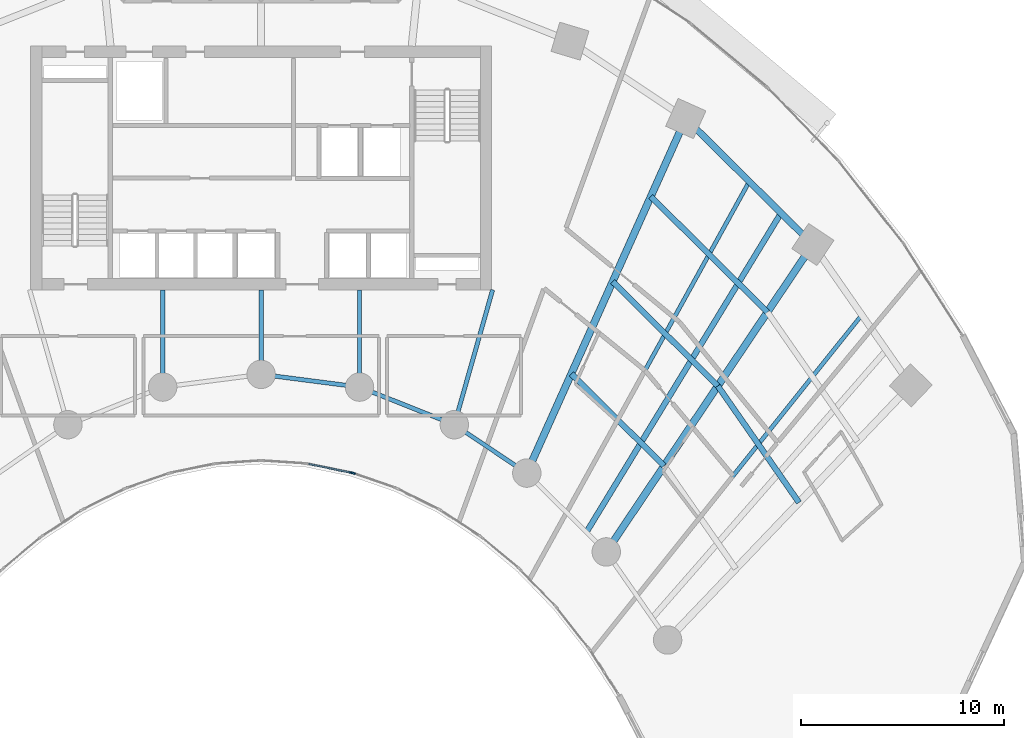
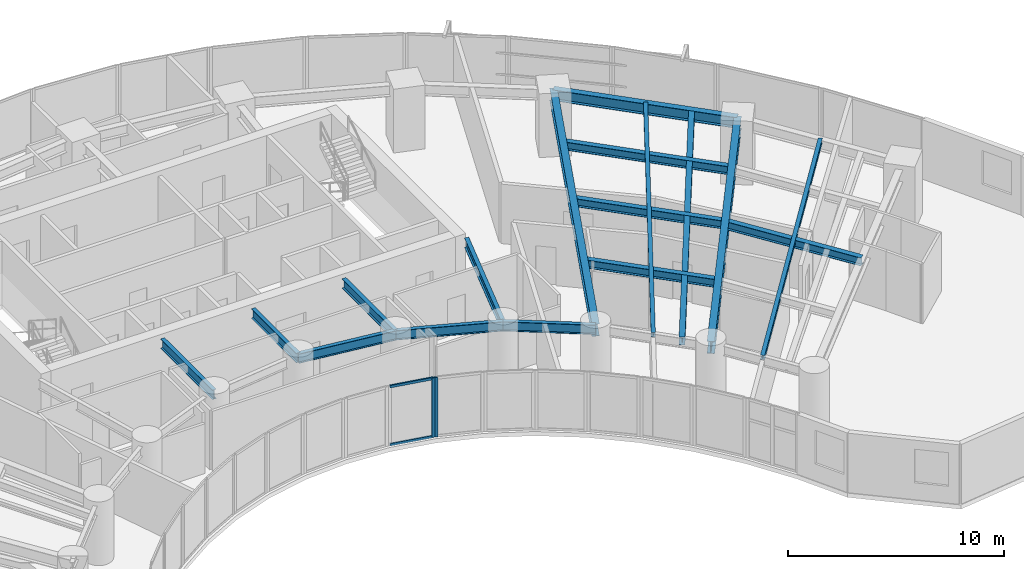
# One storey, part 5 of 17: 17 beams, 4 members, 2 elements without a shape of their own.
"""IFC4 building model written with IfcOpenShell, lengths in metres."""

from ifc_helpers import new_model, si_unit, direction, frame, origin, origin_2d, place, context, subcontext, project, spatial, rectangle, i_section, extrude, source, transform, mapped, material, layer, layer_set, material_profile, profile_set, type_object, type_shapes, element, aggregate, save


model = new_model("IFC4")

# Units and contexts
model_context = context("Model", 3, precision=1e-05, world=origin(), true_north=direction((0.0, 1.0)))
body_context = subcontext(model_context, "Body", "Model", "MODEL_VIEW")
ifc_project = project(units=[si_unit("LENGTHUNIT", "METRE"), si_unit("AREAUNIT", "SQUARE_METRE"), si_unit("VOLUMEUNIT", "CUBIC_METRE"), si_unit("PLANEANGLEUNIT", "RADIAN"), si_unit("MASSUNIT", "GRAM", prefix="KILO")], contexts=[model_context])

# Site, building, storey
site_placement = place(None, origin())
site = spatial("IfcSite", under=ifc_project, at=site_placement, CompositionType="ELEMENT")
building_placement = place(site_placement, origin())
building = spatial("IfcBuilding", under=site, at=building_placement, Name="Breltana Convention Tower", CompositionType="ELEMENT")
storey_placement = place(building_placement, frame((0.0, 0.0, 67.800048828125)))
storey = spatial("IfcBuildingStorey", under=building, at=storey_placement, Name="L15", CompositionType="ELEMENT", Elevation=67.800048828125)

# Beams
ifc_material_1 = material(Name="Steel ASTM A992 Grade 50", Category="steel")
ifc_material_profile_1 = material_profile(ifc_material_1, i_section(OverallWidth=0.323974609375, OverallDepth=0.611083984375, WebThickness=0.0126953125, FlangeThickness=0.01904296875, at=origin_2d()), Name="W24X104")
ifc_profile_set_1 = profile_set([ifc_material_profile_1], Name="Steel ASTM A992 Grade 50")
beam_type_1 = type_object("IfcBeamType", Name="BM-SP-W24X104", PredefinedType="SPANDREL", material=ifc_profile_set_1)
shared_shape_1 = source(origin(), body_context, "Body", "SweptSolid", [
    extrude(i_section(OverallWidth=0.323974609375, OverallDepth=0.611083984375, WebThickness=0.0126953125, FlangeThickness=0.01904296875, at=origin_2d()), origin(), (0.0, 0.0, 1.0), 8.810302734375),
])
beam_1_placement = place(storey_placement, frame((68.910400390625, 68.63330078125, 3.054443359375), z_axis=(0.710120823582, -0.704079836322, 0.0), x_axis=(0.704079836322, 0.710120823582, 0.0)))
element("IfcBeam", 1, at=beam_1_placement, inside=storey, type_object=beam_type_1, Name="L15 Outer Spandrel Beam 09", PredefinedType="SPANDREL", context=body_context, shape_type="MappedRepresentation", body=[
    mapped(shared_shape_1, transform((0.0, 0.0, 0.0), scale=1.0)),
])
ifc_material_profile_2 = material_profile(ifc_material_1, i_section(OverallWidth=0.2099609375, OverallDepth=0.537109375, WebThickness=0.010986328125, FlangeThickness=0.017333984375, at=origin_2d()), Name="W21X68")
ifc_profile_set_2 = profile_set([ifc_material_profile_2], Name="Steel ASTM A992 Grade 50")
beam_type_2 = type_object("IfcBeamType", Name="BM-BM-W21X68", PredefinedType="BEAM", material=ifc_profile_set_2)
shared_shape_2 = source(origin(), body_context, "Body", "SweptSolid", [
    extrude(i_section(OverallWidth=0.2099609375, OverallDepth=0.537109375, WebThickness=0.010986328125, FlangeThickness=0.017333984375, at=origin_2d()), origin(), (0.0, 0.0, 1.0), 6.904541015625),
])
type_shapes(beam_type_2, [shared_shape_2])
beam_2_placement = place(storey_placement, frame((59.39990234375, 60.199951171875, 3.091552734375), z_axis=(-0.273006781054, -0.962012108811, 0.0), x_axis=(0.962012108811, -0.273006781054, 0.0)))
element("IfcBeam", 2, at=beam_2_placement, inside=storey, type_object=beam_type_2, Name="L15 South Core Tie Girder R08", PredefinedType="BEAM", context=body_context, shape_type="MappedRepresentation", body=[
    mapped(shared_shape_2, transform((0.0, 0.0, 0.0), scale=1.0)),
])
shared_shape_3 = source(origin(), body_context, "Body", "SweptSolid", [
    extrude(i_section(OverallWidth=0.2099609375, OverallDepth=0.537109375, WebThickness=0.010986328125, FlangeThickness=0.017333984375, at=origin_2d()), origin(), (0.0, 0.0, 1.0), 4.789306640625),
])
for number, where, z_axis, x_axis, name in (
    (3, (43.153564453125, 60.199951171875, 3.091552734375), (0.0, -1.0, 0.0), (1.0, 0.0, 0.0), "L15 South Core Tie Girder R05"),
    (4, (52.846435546875, 60.199951171875, 3.091552734375), (0.0, -1.0, 0.0), (1.0, 0.0, 0.0), "L15 South Core Tie Girder R07"),
):
    element("IfcBeam", number, at=place(storey_placement, frame(where, z_axis=z_axis, x_axis=x_axis)), inside=storey, type_object=beam_type_2, Name=name, PredefinedType="BEAM", context=body_context, shape_type="MappedRepresentation", body=[
        mapped(shared_shape_3, transform((0.0, 0.0, 0.0), scale=1.0)),
    ])
shared_shape_4 = source(origin(), body_context, "Body", "SweptSolid", [
    extrude(i_section(OverallWidth=0.2099609375, OverallDepth=0.537109375, WebThickness=0.010986328125, FlangeThickness=0.017333984375, at=origin_2d()), origin(), (0.0, 0.0, 1.0), 4.1640625),
])
beam_3_placement = place(storey_placement, frame((48.0, 60.199951171875, 3.091552734375), z_axis=(0.0, -1.0, 0.0), x_axis=(1.0, 0.0, 0.0)))
element("IfcBeam", 5, at=beam_3_placement, inside=storey, type_object=beam_type_2, Name="L15 South Core Tie Girder R06", PredefinedType="BEAM", context=body_context, shape_type="MappedRepresentation", body=[
    mapped(shared_shape_4, transform((0.0, 0.0, 0.0), scale=1.0)),
])
ifc_material_profile_3 = material_profile(ifc_material_1, i_section(OverallWidth=0.35498046875, OverallDepth=0.696044921875, WebThickness=0.015380859375, FlangeThickness=0.02490234375, at=origin_2d()), Name="W27X146")
ifc_profile_set_3 = profile_set([ifc_material_profile_3], Name="Steel ASTM A992 Grade 50")
beam_type_3 = type_object("IfcBeamType", Name="BM-RG-W27X146", PredefinedType="USERDEFINED", material=ifc_profile_set_3)
shared_shape_5 = source(origin(), body_context, "Body", "SweptSolid", [
    extrude(i_section(OverallWidth=0.35498046875, OverallDepth=0.696044921875, WebThickness=0.015380859375, FlangeThickness=0.02490234375, at=origin_2d()), origin(), (0.0, 0.0, 1.0), 19.133544921875),
])
beam_4_placement = place(storey_placement, frame((61.08203125, 51.174560546875, 3.011962890625), z_axis=(0.409144564164, 0.912469575172, 0.0), x_axis=(-0.912469575172, 0.409144564164, 0.0)))
element("IfcBeam", 6, at=beam_4_placement, inside=storey, type_object=beam_type_3, Name="L15 Radial Floor Girder R09", ObjectType="GIRDER", PredefinedType="USERDEFINED", context=body_context, shape_type="MappedRepresentation", body=[
    mapped(shared_shape_5, transform((0.0, 0.0, 0.0), scale=1.0)),
])
shared_shape_6 = source(origin(), body_context, "Body", "SweptSolid", [
    extrude(i_section(OverallWidth=0.35498046875, OverallDepth=0.696044921875, WebThickness=0.015380859375, FlangeThickness=0.02490234375, at=origin_2d()), origin(), (0.0, 0.0, 1.0), 18.236328125),
])
beam_5_placement = place(storey_placement, frame((64.995849609375, 47.293701171875, 3.011962890625), z_axis=(0.557730360975, 0.830022195153, 0.0), x_axis=(-0.830022195153, 0.557730360975, 0.0)))
element("IfcBeam", 7, at=beam_5_placement, inside=storey, type_object=beam_type_3, Name="L15 Radial Floor Girder R10", ObjectType="GIRDER", PredefinedType="USERDEFINED", context=body_context, shape_type="MappedRepresentation", body=[
    mapped(shared_shape_6, transform((0.0, 0.0, 0.0), scale=1.0)),
])
shared_shape_7 = source(origin(), body_context, "Body", "SweptSolid", [
    extrude(i_section(OverallWidth=0.2099609375, OverallDepth=0.537109375, WebThickness=0.010986328125, FlangeThickness=0.017333984375, at=origin_2d()), origin(), (0.0, 0.0, 1.0), 5.022705078125),
])
beam_6_placement = place(storey_placement, frame((52.846435546875, 55.41064453125, 3.091552734375), z_axis=(0.929458966248, -0.368925507469, 0.0), x_axis=(0.368925507469, 0.929458966248, 0.0)))
element("IfcBeam", 8, at=beam_6_placement, inside=storey, type_object=beam_type_2, Name="L15 Inner Ring Beam 07", PredefinedType="BEAM", context=body_context, shape_type="MappedRepresentation", body=[
    mapped(shared_shape_7, transform((0.0, 0.0, 0.0), scale=1.0)),
])
shared_shape_8 = source(origin(), body_context, "Body", "SweptSolid", [
    extrude(i_section(OverallWidth=0.2099609375, OverallDepth=0.537109375, WebThickness=0.010986328125, FlangeThickness=0.017333984375, at=origin_2d()), origin(), (0.0, 0.0, 1.0), 4.88671875),
])
beam_7_placement = place(storey_placement, frame((48.0, 56.035888671875, 3.091552734375), z_axis=(0.991780525565, -0.127950729231, 0.0), x_axis=(0.127950729231, 0.991780525565, 0.0)))
element("IfcBeam", 9, at=beam_7_placement, inside=storey, type_object=beam_type_2, Name="L15 Inner Ring Beam 06", PredefinedType="BEAM", context=body_context, shape_type="MappedRepresentation", body=[
    mapped(shared_shape_8, transform((0.0, 0.0, 0.0), scale=1.0)),
])
shared_shape_9 = source(origin(), body_context, "Body", "SweptSolid", [
    extrude(i_section(OverallWidth=0.2099609375, OverallDepth=0.537109375, WebThickness=0.010986328125, FlangeThickness=0.017333984375, at=origin_2d()), origin(), (0.0, 0.0, 1.0), 4.2900390625),
])
beam_8_placement = place(storey_placement, frame((57.514892578125, 53.5576171875, 3.091552734375), z_axis=(0.831515827753, -0.555501060482, 0.0), x_axis=(0.555501060482, 0.831515827753, 0.0)))
element("IfcBeam", 10, at=beam_8_placement, inside=storey, type_object=beam_type_2, Name="L15 Inner Ring Beam 08", PredefinedType="BEAM", context=body_context, shape_type="MappedRepresentation", body=[
    mapped(shared_shape_9, transform((0.0, 0.0, 0.0), scale=1.0)),
])
ifc_material_profile_4 = material_profile(ifc_material_1, i_section(OverallWidth=0.280029296875, OverallDepth=0.462890625, WebThickness=0.0107421875, FlangeThickness=0.017333984375, at=origin_2d()), Name="W18X76")
ifc_profile_set_4 = profile_set([ifc_material_profile_4], Name="Steel ASTM A992 Grade 50")
beam_type_4 = type_object("IfcBeamType", Name="BM-JSG-06", PredefinedType="JOIST", material=ifc_profile_set_4)
shared_shape_10 = source(origin(), body_context, "Body", "SweptSolid", [
    extrude(i_section(OverallWidth=0.280029296875, OverallDepth=0.462890625, WebThickness=0.0107421875, FlangeThickness=0.017333984375, at=origin_2d()), origin(), (0.0, 0.0, 1.0), 6.435302734375),
])
beam_9_placement = place(storey_placement, frame((63.27392578125, 56.06298828125, 3.12841796875), z_axis=(0.710116389828, -0.704084308089, 0.0), x_axis=(0.704084308089, 0.710116389828, 0.0)))
element("IfcBeam", 11, at=beam_9_placement, inside=storey, type_object=beam_type_4, Name="L15 Composite Floor Joist 09.1", PredefinedType="JOIST", context=body_context, shape_type="MappedRepresentation", body=[
    mapped(shared_shape_10, transform((0.0, 0.0, 0.0), scale=1.0)),
])
shared_shape_11 = source(origin(), body_context, "Body", "SweptSolid", [
    extrude(i_section(OverallWidth=0.280029296875, OverallDepth=0.462890625, WebThickness=0.0107421875, FlangeThickness=0.017333984375, at=origin_2d()), origin(), (0.0, 0.0, 1.0), 7.29296875),
])
beam_10_placement = place(storey_placement, frame((65.309326171875, 60.602294921875, 3.12841796875), z_axis=(0.710096551013, -0.704104316305, 0.0), x_axis=(0.704104316305, 0.710096551013, 0.0)))
element("IfcBeam", 12, at=beam_10_placement, inside=storey, type_object=beam_type_4, Name="L15 Composite Floor Joist 09.2", PredefinedType="JOIST", context=body_context, shape_type="MappedRepresentation", body=[
    mapped(shared_shape_11, transform((0.0, 0.0, 0.0), scale=1.0)),
])
shared_shape_12 = source(origin(), body_context, "Body", "SweptSolid", [
    extrude(i_section(OverallWidth=0.280029296875, OverallDepth=0.462890625, WebThickness=0.0107421875, FlangeThickness=0.017333984375, at=origin_2d()), origin(), (0.0, 0.0, 1.0), 8.084716796875),
])
beam_11_placement = place(storey_placement, frame((67.188232421875, 64.79248046875, 3.12841796875), z_axis=(0.710105094548, -0.704095699956, 0.0), x_axis=(0.704095699956, 0.710105094548, 0.0)))
element("IfcBeam", 13, at=beam_11_placement, inside=storey, type_object=beam_type_4, Name="L15 Composite Floor Joist 09.3", PredefinedType="JOIST", context=body_context, shape_type="MappedRepresentation", body=[
    mapped(shared_shape_12, transform((0.0, 0.0, 0.0), scale=1.0)),
])
ifc_material_profile_5 = material_profile(ifc_material_1, i_section(OverallWidth=0.201904296875, OverallDepth=0.2470703125, WebThickness=0.00732421875, FlangeThickness=0.010986328125, at=origin_2d()), Name="W10X33")
ifc_profile_set_5 = profile_set([ifc_material_profile_5], Name="Steel ASTM A992 Grade 50")
beam_type_5 = type_object("IfcBeamType", Name="BM-JSG-11", PredefinedType="JOIST", material=ifc_profile_set_5)
shared_shape_13 = source(origin(), body_context, "Body", "SweptSolid", [
    extrude(i_section(OverallWidth=0.201904296875, OverallDepth=0.2470703125, WebThickness=0.00732421875, FlangeThickness=0.010986328125, at=origin_2d()), origin(), (0.0, 0.0, 1.0), 18.617431640625),
])
beam_12_placement = place(storey_placement, frame((63.038818359375, 49.234130859375, 3.236572265625), z_axis=(0.483405602507, 0.875396495004, 0.0), x_axis=(-0.875396495004, 0.483405602507, 0.0)))
element("IfcBeam", 14, at=beam_12_placement, inside=storey, type_object=beam_type_5, Name="L15 Mid-Bay Radial Trimmer 09", PredefinedType="JOIST", context=body_context, shape_type="MappedRepresentation", body=[
    mapped(shared_shape_13, transform((0.0, 0.0, 0.0), scale=1.0)),
])
shared_shape_14 = source(origin(), body_context, "Body", "SweptSolid", [
    extrude(i_section(OverallWidth=0.280029296875, OverallDepth=0.462890625, WebThickness=0.0107421875, FlangeThickness=0.017333984375, at=origin_2d()), origin(), (0.0, 0.0, 1.0), 18.409423828125),
])
beam_13_placement = place(storey_placement, frame((64.017333984375, 48.263916015625, 3.12841796875), z_axis=(0.520682167606, 0.853750596098, 0.0), x_axis=(-0.853750596098, 0.520682167606, 0.0)))
element("IfcBeam", 15, at=beam_13_placement, inside=storey, type_object=beam_type_4, Name="L15 Quarter-Bay Radial Trimmer 09", PredefinedType="JOIST", context=body_context, shape_type="MappedRepresentation", body=[
    mapped(shared_shape_14, transform((0.0, 0.0, 0.0), scale=1.0)),
])
shared_shape_15 = source(origin(), body_context, "Body", "SweptSolid", [
    extrude(i_section(OverallWidth=0.280029296875, OverallDepth=0.462890625, WebThickness=0.0107421875, FlangeThickness=0.017333984375, at=origin_2d()), origin(), (0.0, 0.0, 1.0), 6.99462890625),
])
beam_14_placement = place(storey_placement, frame((70.488037109375, 55.46728515625, 3.12841796875), z_axis=(0.571206630732, -0.820806301759, 0.0), x_axis=(0.820806301759, 0.571206630732, 0.0)))
element("IfcBeam", 16, at=beam_14_placement, inside=storey, type_object=beam_type_4, Name="L15 Composite Floor Joist 10.2", PredefinedType="JOIST", context=body_context, shape_type="MappedRepresentation", body=[
    mapped(shared_shape_15, transform((0.0, 0.0, 0.0), scale=1.0)),
])
shared_shape_16 = source(origin(), body_context, "Body", "SweptSolid", [
    extrude(i_section(OverallWidth=0.201904296875, OverallDepth=0.2470703125, WebThickness=0.00732421875, FlangeThickness=0.010986328125, at=origin_2d()), origin(), (0.0, 0.0, 1.0), 17.7236328125),
])
beam_15_placement = place(storey_placement, frame((66.505615234375, 45.124267578125, 3.236572265625), z_axis=(0.624829427563, 0.78076128647, 0.0), x_axis=(-0.78076128647, 0.624829427563, 0.0)))
element("IfcBeam", 17, at=beam_15_placement, inside=storey, type_object=beam_type_5, Name="L15 Mid-Bay Radial Trimmer 10", PredefinedType="JOIST", context=body_context, shape_type="MappedRepresentation", body=[
    mapped(shared_shape_16, transform((0.0, 0.0, 0.0), scale=1.0)),
])

# Curtain wall, members
ifc_material_2 = material(Name="Aluminium Anodised Bronze Frame", Category="aluminium")
ifc_layer = layer(ifc_material_2, 0.18994140625, Name="Aluminium Anodised Bronze Frame")
ifc_layer_set = layer_set([ifc_layer], Name="Aluminium Anodised Bronze Frame")
curtain_wall_type = type_object("IfcCurtainWallType", Name="CW-SYS-1", PredefinedType="NOTDEFINED", material=ifc_layer_set)
curtain_wall_1_placement = place(storey_placement, origin())
curtain_wall_1 = element("IfcCurtainWall", 18, at=curtain_wall_1_placement, inside=storey, type_object=curtain_wall_type, Name="L15 inner south-court glazing 8", PredefinedType="NOTDEFINED")
ifc_material_3 = material(Name="Aluminium Anodised Bronze", Category="aluminium")
ifc_material_profile_6 = material_profile(ifc_material_3, rectangle(XDim=0.080078125, YDim=0.139892578125, at=origin_2d()), Name="CWT-80X140")
ifc_profile_set_6 = profile_set([ifc_material_profile_6], Name="Aluminium Anodised Bronze")
member_type_1 = type_object("IfcMemberType", Name="CWT-140", PredefinedType="USERDEFINED", material=ifc_profile_set_6)
shared_shape_17 = source(origin(), body_context, "Body", "SweptSolid", [
    extrude(rectangle(XDim=0.080078125, YDim=0.139892578125, at=origin_2d()), origin(), (0.0, 0.0, 1.0), 2.096435546875),
])
member_1_placement = place(storey_placement, frame((52.401611328125, 51.201416015625, 0.0400390625), z_axis=(-0.979615042233, 0.200883969074, 0.0), x_axis=(-0.200883969074, -0.979615042233, 0.0)))
member_1 = element("IfcMember", 19, at=member_1_placement, type_object=member_type_1, Name="CW-01 transom 1.1", ObjectType="TRANSOM", PredefinedType="USERDEFINED", context=body_context, shape_type="MappedRepresentation", body=[
    mapped(shared_shape_17, transform((0.0, 0.0, 0.0), scale=1.0)),
])
member_2_placement = place(storey_placement, frame((52.401611328125, 51.201416015625, 3.320068359375), z_axis=(-0.979615042233, 0.200883969074, 0.0), x_axis=(-0.200883969074, -0.979615042233, 0.0)))
member_2 = element("IfcMember", 20, at=member_2_placement, type_object=member_type_1, Name="CW-01 transom 1.2", ObjectType="TRANSOM", PredefinedType="USERDEFINED", context=body_context, shape_type="MappedRepresentation", body=[
    mapped(shared_shape_17, transform((0.0, 0.0, 0.0), scale=1.0)),
])

# Curtain wall, member
curtain_wall_2_placement = place(storey_placement, origin())
curtain_wall_2 = element("IfcCurtainWall", 21, at=curtain_wall_2_placement, inside=storey, type_object=curtain_wall_type, Name="L15 inner south-court glazing 7", PredefinedType="NOTDEFINED")
ifc_material_profile_7 = material_profile(ifc_material_3, rectangle(XDim=0.080078125, YDim=0.199951171875, at=origin_2d()), Name="CWM-80X200")
ifc_profile_set_7 = profile_set([ifc_material_profile_7], Name="Aluminium Anodised Bronze")
member_type_2 = type_object("IfcMemberType", Name="CWM-200", PredefinedType="MULLION", material=ifc_profile_set_7)
shared_shape_18 = source(origin(), body_context, "Body", "SweptSolid", [
    extrude(rectangle(XDim=0.080078125, YDim=0.199951171875, at=origin_2d()), origin(), (0.0, 0.0, 1.0), 3.35986328125),
])
member_3_placement = place(storey_placement, frame((52.54052734375, 51.166015625, 0.0), z_axis=(0.0, 0.0, 1.0), x_axis=(-0.327413341714, -0.944881211406, 0.0)))
member_3 = element("IfcMember", 22, at=member_3_placement, type_object=member_type_2, Name="CW-01 mullion 2", PredefinedType="MULLION", context=body_context, shape_type="MappedRepresentation", body=[
    mapped(shared_shape_18, transform((0.0, 0.0, 0.0), scale=1.0)),
])
aggregate(curtain_wall_2, [member_3])

# Member
member_4_placement = place(storey_placement, frame((52.44091796875, 51.193359375, 0.0), z_axis=(0.0, 0.0, 1.0), x_axis=(-0.200886350278, -0.97961455393, 0.0)))
member_4 = element("IfcMember", 23, at=member_4_placement, type_object=member_type_2, Name="CW-01 mullion 1", PredefinedType="MULLION", context=body_context, shape_type="MappedRepresentation", body=[
    mapped(shared_shape_18, transform((0.0, 0.0, 0.0), scale=1.0)),
])

aggregate(curtain_wall_1, [member_4, member_1, member_2])

save(model, "model.ifc")
